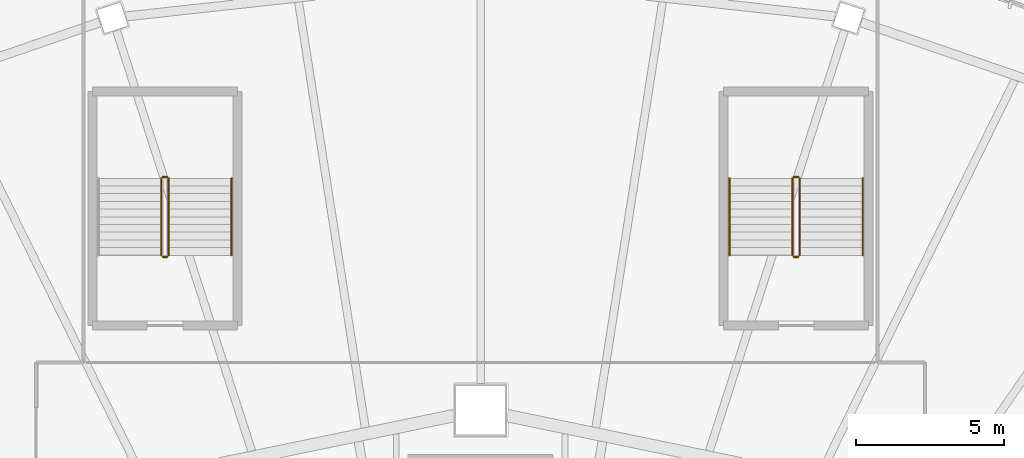
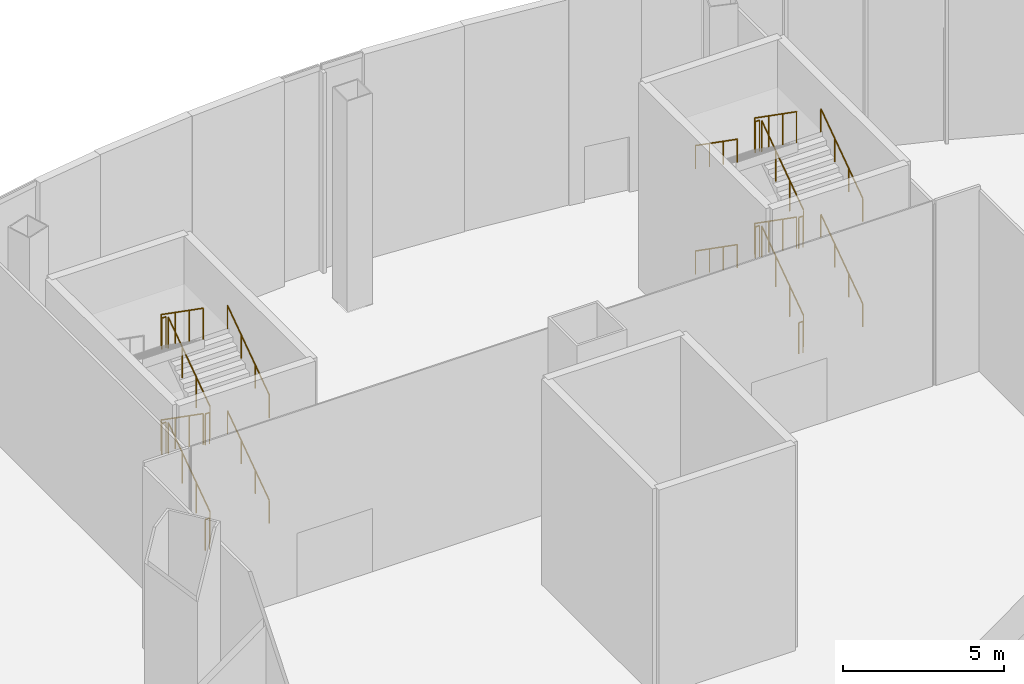
# One storey, part 36 of 36: 22 railings.
"""IFC4 building model written with IfcOpenShell, lengths in metres."""

from ifc_helpers import new_model, si_unit, direction, frame, origin, origin_2d, place, context, subcontext, project, spatial, circle, extrude, material, type_object, element, save


model = new_model("IFC4")

# Units and contexts
model_context = context("Model", 3, precision=1e-05, world=origin(), true_north=direction((0.0, 1.0)))
body_context = subcontext(model_context, "Body", "Model", "MODEL_VIEW")
ifc_project = project(units=[si_unit("LENGTHUNIT", "METRE"), si_unit("AREAUNIT", "SQUARE_METRE"), si_unit("VOLUMEUNIT", "CUBIC_METRE"), si_unit("PLANEANGLEUNIT", "RADIAN"), si_unit("MASSUNIT", "GRAM", prefix="KILO")], contexts=[model_context])

# Site, building, storey
site_placement = place(None, origin())
site = spatial("IfcSite", under=ifc_project, at=site_placement, CompositionType="ELEMENT")
building_placement = place(site_placement, origin())
building = spatial("IfcBuilding", under=site, at=building_placement, Name="Sahrelin Media Tower", CompositionType="ELEMENT")
storey_placement = place(building_placement, origin())
storey = spatial("IfcBuildingStorey", under=building, at=storey_placement, Name="L00", CompositionType="ELEMENT", Elevation=0.0)

# Railings
ifc_material = material(Name="Steel S355", Category="steel")
railing_type_1 = type_object("IfcRailingType", Name="Stair guard 1200", PredefinedType="GUARDRAIL", material=ifc_material)
railing_1_placement = place(storey_placement, frame((10.77490234375, 30.625, 0.181884765625)))
element("IfcRailing", 1, at=railing_1_placement, inside=storey, type_object=railing_type_1, Name="L00 PS1 stair guard 1", PredefinedType="GUARDRAIL", context=body_context, shape_type="SweptSolid", body=[
    extrude(circle(Radius=0.02392578125, at=origin_2d()), frame((0.0, 0.0, 1.17578125), z_axis=(0.0, 0.819521025635, 0.573049115296), x_axis=(-1.0, 0.0, 0.0)), (0.0, 0.0, 1.0), 3.172607421875),
    extrude(circle(Radius=0.02099609375, at=origin_2d()), origin(), (0.0, 0.0, 1.0), 1.15185546875),
    extrude(circle(Radius=0.02099609375, at=origin_2d()), frame((0.0, 0.86669921875, 0.60595703125)), (0.0, 0.0, 1.0), 1.15185546875),
    extrude(circle(Radius=0.02099609375, at=origin_2d()), frame((0.0, 1.7333984375, 1.212158203125)), (0.0, 0.0, 1.0), 1.15185546875),
    extrude(circle(Radius=0.02099609375, at=origin_2d()), frame((0.0, 2.60009765625, 1.818115234375)), (0.0, 0.0, 1.0), 1.15185546875),
])
railing_2_placement = place(storey_placement, frame((10.72509765625, 33.27490234375, 2.0)))
element("IfcRailing", 2, at=railing_2_placement, inside=storey, type_object=railing_type_1, Name="L00 PS1 stair guard 2", PredefinedType="GUARDRAIL", context=body_context, shape_type="SweptSolid", body=[
    extrude(circle(Radius=0.02392578125, at=origin_2d()), frame((0.0, 0.0, 1.17578125), z_axis=(-1.0, 0.0, 0.0), x_axis=(0.0, -1.0, 0.0)), (0.0, 0.0, 1.0), 0.150146484375),
    extrude(circle(Radius=0.02099609375, at=origin_2d()), origin(), (0.0, 0.0, 1.0), 1.15185546875),
    extrude(circle(Radius=0.02099609375, at=origin_2d()), frame((-0.150146484375, 0.0, 0.0)), (0.0, 0.0, 1.0), 1.15185546875),
])
railing_3_placement = place(storey_placement, frame((10.52490234375, 33.22509765625, 2.181884765625)))
element("IfcRailing", 3, at=railing_3_placement, inside=storey, type_object=railing_type_1, Name="L00 PS1 stair guard 3", PredefinedType="GUARDRAIL", context=body_context, shape_type="SweptSolid", body=[
    extrude(circle(Radius=0.02392578125, at=origin_2d()), frame((0.0, 0.0, 1.17578125), z_axis=(0.0, -0.819521025635, 0.573049115296), x_axis=(1.0, 0.0, 0.0)), (0.0, 0.0, 1.0), 3.172607421875),
    extrude(circle(Radius=0.02099609375, at=origin_2d()), origin(), (0.0, 0.0, 1.0), 1.15185546875),
    extrude(circle(Radius=0.02099609375, at=origin_2d()), frame((0.0, -0.86669921875, 0.60595703125)), (0.0, 0.0, 1.0), 1.15185546875),
    extrude(circle(Radius=0.02099609375, at=origin_2d()), frame((0.0, -1.7333984375, 1.212158203125)), (0.0, 0.0, 1.0), 1.15185546875),
    extrude(circle(Radius=0.02099609375, at=origin_2d()), frame((0.0, -2.60009765625, 1.818115234375)), (0.0, 0.0, 1.0), 1.15185546875),
])
railing_4_placement = place(storey_placement, frame((10.72509765625, 30.574951171875, 4.0)))
element("IfcRailing", 4, at=railing_4_placement, inside=storey, type_object=railing_type_1, Name="L00 PS1 stair guard 4", PredefinedType="GUARDRAIL", context=body_context, shape_type="SweptSolid", body=[
    extrude(circle(Radius=0.02392578125, at=origin_2d()), frame((0.0, 0.0, 1.17578125), z_axis=(-1.0, 0.0, 0.0), x_axis=(0.0, -1.0, 0.0)), (0.0, 0.0, 1.0), 0.150146484375),
    extrude(circle(Radius=0.02099609375, at=origin_2d()), origin(), (0.0, 0.0, 1.0), 1.15185546875),
    extrude(circle(Radius=0.02099609375, at=origin_2d()), frame((-0.150146484375, 0.0, 0.0)), (0.0, 0.0, 1.0), 1.15185546875),
])
railing_5_placement = place(storey_placement, frame((10.77490234375, 30.625, 4.181884765625)))
element("IfcRailing", 5, at=railing_5_placement, inside=storey, type_object=railing_type_1, Name="L00 PS1 stair guard 5", PredefinedType="GUARDRAIL", context=body_context, shape_type="SweptSolid", body=[
    extrude(circle(Radius=0.02392578125, at=origin_2d()), frame((0.0, 0.0, 1.17578125), z_axis=(0.0, 0.819521025635, 0.573049115296), x_axis=(-1.0, 0.0, 0.0)), (0.0, 0.0, 1.0), 3.172607421875),
    extrude(circle(Radius=0.02099609375, at=origin_2d()), origin(), (0.0, 0.0, 1.0), 1.15185546875),
    extrude(circle(Radius=0.02099609375, at=origin_2d()), frame((0.0, 0.86669921875, 0.60595703125)), (0.0, 0.0, 1.0), 1.15185546875),
    extrude(circle(Radius=0.02099609375, at=origin_2d()), frame((0.0, 1.7333984375, 1.212158203125)), (0.0, 0.0, 1.0), 1.15185546875),
    extrude(circle(Radius=0.02099609375, at=origin_2d()), frame((0.0, 2.60009765625, 1.818115234375)), (0.0, 0.0, 1.0), 1.15185546875),
])
railing_6_placement = place(storey_placement, frame((10.72509765625, 33.27490234375, 6.0)))
element("IfcRailing", 6, at=railing_6_placement, inside=storey, type_object=railing_type_1, Name="L00 PS1 stair guard 6", PredefinedType="GUARDRAIL", context=body_context, shape_type="SweptSolid", body=[
    extrude(circle(Radius=0.02392578125, at=origin_2d()), frame((0.0, 0.0, 1.17578125), z_axis=(-1.0, 0.0, 0.0), x_axis=(0.0, -1.0, 0.0)), (0.0, 0.0, 1.0), 0.150146484375),
    extrude(circle(Radius=0.02099609375, at=origin_2d()), origin(), (0.0, 0.0, 1.0), 1.15185546875),
    extrude(circle(Radius=0.02099609375, at=origin_2d()), frame((-0.150146484375, 0.0, 0.0)), (0.0, 0.0, 1.0), 1.15185546875),
])
railing_7_placement = place(storey_placement, frame((10.52490234375, 33.22509765625, 6.181884765625)))
element("IfcRailing", 7, at=railing_7_placement, inside=storey, type_object=railing_type_1, Name="L00 PS1 stair guard 7", PredefinedType="GUARDRAIL", context=body_context, shape_type="SweptSolid", body=[
    extrude(circle(Radius=0.02392578125, at=origin_2d()), frame((0.0, 0.0, 1.17578125), z_axis=(0.0, -0.819521025635, 0.573049115296), x_axis=(1.0, 0.0, 0.0)), (0.0, 0.0, 1.0), 3.172607421875),
    extrude(circle(Radius=0.02099609375, at=origin_2d()), origin(), (0.0, 0.0, 1.0), 1.15185546875),
    extrude(circle(Radius=0.02099609375, at=origin_2d()), frame((0.0, -0.86669921875, 0.60595703125)), (0.0, 0.0, 1.0), 1.15185546875),
    extrude(circle(Radius=0.02099609375, at=origin_2d()), frame((0.0, -1.7333984375, 1.212158203125)), (0.0, 0.0, 1.0), 1.15185546875),
    extrude(circle(Radius=0.02099609375, at=origin_2d()), frame((0.0, -2.60009765625, 1.818115234375)), (0.0, 0.0, 1.0), 1.15185546875),
])
railing_8_placement = place(storey_placement, frame((10.72509765625, 30.574951171875, 0.0)))
element("IfcRailing", 8, at=railing_8_placement, inside=storey, type_object=railing_type_1, Name="L00 PS1 stair guard 8", PredefinedType="GUARDRAIL", context=body_context, shape_type="SweptSolid", body=[
    extrude(circle(Radius=0.02392578125, at=origin_2d()), frame((0.0, 0.0, 1.17578125), z_axis=(-1.0, 0.0, 0.0), x_axis=(0.0, -1.0, 0.0)), (0.0, 0.0, 1.0), 0.150146484375),
    extrude(circle(Radius=0.02099609375, at=origin_2d()), origin(), (0.0, 0.0, 1.0), 1.15185546875),
    extrude(circle(Radius=0.02099609375, at=origin_2d()), frame((-0.150146484375, 0.0, 0.0)), (0.0, 0.0, 1.0), 1.15185546875),
])
railing_9_placement = place(storey_placement, frame((-10.52490234375, 30.625, 0.181884765625)))
element("IfcRailing", 9, at=railing_9_placement, inside=storey, type_object=railing_type_1, Name="L00 PS2 stair guard 1", PredefinedType="GUARDRAIL", context=body_context, shape_type="SweptSolid", body=[
    extrude(circle(Radius=0.02392578125, at=origin_2d()), frame((0.0, 0.0, 1.17578125), z_axis=(0.0, 0.819521025635, 0.573049115296), x_axis=(-1.0, 0.0, 0.0)), (0.0, 0.0, 1.0), 3.172607421875),
    extrude(circle(Radius=0.02099609375, at=origin_2d()), origin(), (0.0, 0.0, 1.0), 1.15185546875),
    extrude(circle(Radius=0.02099609375, at=origin_2d()), frame((0.0, 0.86669921875, 0.60595703125)), (0.0, 0.0, 1.0), 1.15185546875),
    extrude(circle(Radius=0.02099609375, at=origin_2d()), frame((0.0, 1.7333984375, 1.212158203125)), (0.0, 0.0, 1.0), 1.15185546875),
    extrude(circle(Radius=0.02099609375, at=origin_2d()), frame((0.0, 2.60009765625, 1.818115234375)), (0.0, 0.0, 1.0), 1.15185546875),
])
railing_10_placement = place(storey_placement, frame((-10.574951171875, 33.27490234375, 2.0)))
element("IfcRailing", 10, at=railing_10_placement, inside=storey, type_object=railing_type_1, Name="L00 PS2 stair guard 2", PredefinedType="GUARDRAIL", context=body_context, shape_type="SweptSolid", body=[
    extrude(circle(Radius=0.02392578125, at=origin_2d()), frame((0.0, 0.0, 1.17578125), z_axis=(-1.0, 0.0, 0.0), x_axis=(0.0, -1.0, 0.0)), (0.0, 0.0, 1.0), 0.150146484375),
    extrude(circle(Radius=0.02099609375, at=origin_2d()), origin(), (0.0, 0.0, 1.0), 1.15185546875),
    extrude(circle(Radius=0.02099609375, at=origin_2d()), frame((-0.150146484375, 0.0, 0.0)), (0.0, 0.0, 1.0), 1.15185546875),
])
railing_11_placement = place(storey_placement, frame((-10.77490234375, 33.22509765625, 2.181884765625)))
element("IfcRailing", 11, at=railing_11_placement, inside=storey, type_object=railing_type_1, Name="L00 PS2 stair guard 3", PredefinedType="GUARDRAIL", context=body_context, shape_type="SweptSolid", body=[
    extrude(circle(Radius=0.02392578125, at=origin_2d()), frame((0.0, 0.0, 1.17578125), z_axis=(0.0, -0.819521025635, 0.573049115296), x_axis=(1.0, 0.0, 0.0)), (0.0, 0.0, 1.0), 3.172607421875),
    extrude(circle(Radius=0.02099609375, at=origin_2d()), origin(), (0.0, 0.0, 1.0), 1.15185546875),
    extrude(circle(Radius=0.02099609375, at=origin_2d()), frame((0.0, -0.86669921875, 0.60595703125)), (0.0, 0.0, 1.0), 1.15185546875),
    extrude(circle(Radius=0.02099609375, at=origin_2d()), frame((0.0, -1.7333984375, 1.212158203125)), (0.0, 0.0, 1.0), 1.15185546875),
    extrude(circle(Radius=0.02099609375, at=origin_2d()), frame((0.0, -2.60009765625, 1.818115234375)), (0.0, 0.0, 1.0), 1.15185546875),
])
railing_12_placement = place(storey_placement, frame((-10.574951171875, 30.574951171875, 4.0)))
element("IfcRailing", 12, at=railing_12_placement, inside=storey, type_object=railing_type_1, Name="L00 PS2 stair guard 4", PredefinedType="GUARDRAIL", context=body_context, shape_type="SweptSolid", body=[
    extrude(circle(Radius=0.02392578125, at=origin_2d()), frame((0.0, 0.0, 1.17578125), z_axis=(-1.0, 0.0, 0.0), x_axis=(0.0, -1.0, 0.0)), (0.0, 0.0, 1.0), 0.150146484375),
    extrude(circle(Radius=0.02099609375, at=origin_2d()), origin(), (0.0, 0.0, 1.0), 1.15185546875),
    extrude(circle(Radius=0.02099609375, at=origin_2d()), frame((-0.150146484375, 0.0, 0.0)), (0.0, 0.0, 1.0), 1.15185546875),
])
railing_13_placement = place(storey_placement, frame((-10.52490234375, 30.625, 4.181884765625)))
element("IfcRailing", 13, at=railing_13_placement, inside=storey, type_object=railing_type_1, Name="L00 PS2 stair guard 5", PredefinedType="GUARDRAIL", context=body_context, shape_type="SweptSolid", body=[
    extrude(circle(Radius=0.02392578125, at=origin_2d()), frame((0.0, 0.0, 1.17578125), z_axis=(0.0, 0.819521025635, 0.573049115296), x_axis=(-1.0, 0.0, 0.0)), (0.0, 0.0, 1.0), 3.172607421875),
    extrude(circle(Radius=0.02099609375, at=origin_2d()), origin(), (0.0, 0.0, 1.0), 1.15185546875),
    extrude(circle(Radius=0.02099609375, at=origin_2d()), frame((0.0, 0.86669921875, 0.60595703125)), (0.0, 0.0, 1.0), 1.15185546875),
    extrude(circle(Radius=0.02099609375, at=origin_2d()), frame((0.0, 1.7333984375, 1.212158203125)), (0.0, 0.0, 1.0), 1.15185546875),
    extrude(circle(Radius=0.02099609375, at=origin_2d()), frame((0.0, 2.60009765625, 1.818115234375)), (0.0, 0.0, 1.0), 1.15185546875),
])
railing_14_placement = place(storey_placement, frame((-10.574951171875, 33.27490234375, 6.0)))
element("IfcRailing", 14, at=railing_14_placement, inside=storey, type_object=railing_type_1, Name="L00 PS2 stair guard 6", PredefinedType="GUARDRAIL", context=body_context, shape_type="SweptSolid", body=[
    extrude(circle(Radius=0.02392578125, at=origin_2d()), frame((0.0, 0.0, 1.17578125), z_axis=(-1.0, 0.0, 0.0), x_axis=(0.0, -1.0, 0.0)), (0.0, 0.0, 1.0), 0.150146484375),
    extrude(circle(Radius=0.02099609375, at=origin_2d()), origin(), (0.0, 0.0, 1.0), 1.15185546875),
    extrude(circle(Radius=0.02099609375, at=origin_2d()), frame((-0.150146484375, 0.0, 0.0)), (0.0, 0.0, 1.0), 1.15185546875),
])
railing_15_placement = place(storey_placement, frame((-10.77490234375, 33.22509765625, 6.181884765625)))
element("IfcRailing", 15, at=railing_15_placement, inside=storey, type_object=railing_type_1, Name="L00 PS2 stair guard 7", PredefinedType="GUARDRAIL", context=body_context, shape_type="SweptSolid", body=[
    extrude(circle(Radius=0.02392578125, at=origin_2d()), frame((0.0, 0.0, 1.17578125), z_axis=(0.0, -0.819521025635, 0.573049115296), x_axis=(1.0, 0.0, 0.0)), (0.0, 0.0, 1.0), 3.172607421875),
    extrude(circle(Radius=0.02099609375, at=origin_2d()), origin(), (0.0, 0.0, 1.0), 1.15185546875),
    extrude(circle(Radius=0.02099609375, at=origin_2d()), frame((0.0, -0.86669921875, 0.60595703125)), (0.0, 0.0, 1.0), 1.15185546875),
    extrude(circle(Radius=0.02099609375, at=origin_2d()), frame((0.0, -1.7333984375, 1.212158203125)), (0.0, 0.0, 1.0), 1.15185546875),
    extrude(circle(Radius=0.02099609375, at=origin_2d()), frame((0.0, -2.60009765625, 1.818115234375)), (0.0, 0.0, 1.0), 1.15185546875),
])
railing_16_placement = place(storey_placement, frame((-10.574951171875, 30.574951171875, 0.0)))
element("IfcRailing", 16, at=railing_16_placement, inside=storey, type_object=railing_type_1, Name="L00 PS2 stair guard 8", PredefinedType="GUARDRAIL", context=body_context, shape_type="SweptSolid", body=[
    extrude(circle(Radius=0.02392578125, at=origin_2d()), frame((0.0, 0.0, 1.17578125), z_axis=(-1.0, 0.0, 0.0), x_axis=(0.0, -1.0, 0.0)), (0.0, 0.0, 1.0), 0.150146484375),
    extrude(circle(Radius=0.02099609375, at=origin_2d()), origin(), (0.0, 0.0, 1.0), 1.15185546875),
    extrude(circle(Radius=0.02099609375, at=origin_2d()), frame((-0.150146484375, 0.0, 0.0)), (0.0, 0.0, 1.0), 1.15185546875),
])
railing_type_2 = type_object("IfcRailingType", Name="Stair handrail 900", PredefinedType="HANDRAIL", material=ifc_material)
railing_17_placement = place(storey_placement, frame((12.89990234375, 30.625, 0.181884765625)))
element("IfcRailing", 17, at=railing_17_placement, inside=storey, type_object=railing_type_2, Name="L00 PS1 stair handrail 1", PredefinedType="HANDRAIL", context=body_context, shape_type="SweptSolid", body=[
    extrude(circle(Radius=0.02392578125, at=origin_2d()), frame((0.0, 0.0, 0.8759765625), z_axis=(0.0, 0.819521025635, 0.573049115296), x_axis=(-1.0, 0.0, 0.0)), (0.0, 0.0, 1.0), 3.172607421875),
    extrude(circle(Radius=0.02099609375, at=origin_2d()), origin(), (0.0, 0.0, 1.0), 0.851806640625),
    extrude(circle(Radius=0.02099609375, at=origin_2d()), frame((0.0, 0.86669921875, 0.60595703125)), (0.0, 0.0, 1.0), 0.851806640625),
    extrude(circle(Radius=0.02099609375, at=origin_2d()), frame((0.0, 1.7333984375, 1.212158203125)), (0.0, 0.0, 1.0), 0.851806640625),
    extrude(circle(Radius=0.02099609375, at=origin_2d()), frame((0.0, 2.60009765625, 1.818115234375)), (0.0, 0.0, 1.0), 0.851806640625),
])
railing_18_placement = place(storey_placement, frame((8.39990234375, 33.22509765625, 2.181884765625)))
element("IfcRailing", 18, at=railing_18_placement, inside=storey, type_object=railing_type_2, Name="L00 PS1 stair handrail 2", PredefinedType="HANDRAIL", context=body_context, shape_type="SweptSolid", body=[
    extrude(circle(Radius=0.02392578125, at=origin_2d()), frame((0.0, 0.0, 0.8759765625), z_axis=(0.0, -0.819521025635, 0.573049115296), x_axis=(1.0, 0.0, 0.0)), (0.0, 0.0, 1.0), 3.172607421875),
    extrude(circle(Radius=0.02099609375, at=origin_2d()), origin(), (0.0, 0.0, 1.0), 0.851806640625),
    extrude(circle(Radius=0.02099609375, at=origin_2d()), frame((0.0, -0.86669921875, 0.60595703125)), (0.0, 0.0, 1.0), 0.851806640625),
    extrude(circle(Radius=0.02099609375, at=origin_2d()), frame((0.0, -1.7333984375, 1.212158203125)), (0.0, 0.0, 1.0), 0.851806640625),
    extrude(circle(Radius=0.02099609375, at=origin_2d()), frame((0.0, -2.60009765625, 1.818115234375)), (0.0, 0.0, 1.0), 0.851806640625),
])
railing_19_placement = place(storey_placement, frame((12.89990234375, 30.625, 4.181884765625)))
element("IfcRailing", 19, at=railing_19_placement, inside=storey, type_object=railing_type_2, Name="L00 PS1 stair handrail 3", PredefinedType="HANDRAIL", context=body_context, shape_type="SweptSolid", body=[
    extrude(circle(Radius=0.02392578125, at=origin_2d()), frame((0.0, 0.0, 0.8759765625), z_axis=(0.0, 0.819521025635, 0.573049115296), x_axis=(-1.0, 0.0, 0.0)), (0.0, 0.0, 1.0), 3.172607421875),
    extrude(circle(Radius=0.02099609375, at=origin_2d()), origin(), (0.0, 0.0, 1.0), 0.851806640625),
    extrude(circle(Radius=0.02099609375, at=origin_2d()), frame((0.0, 0.86669921875, 0.60595703125)), (0.0, 0.0, 1.0), 0.851806640625),
    extrude(circle(Radius=0.02099609375, at=origin_2d()), frame((0.0, 1.7333984375, 1.212158203125)), (0.0, 0.0, 1.0), 0.851806640625),
    extrude(circle(Radius=0.02099609375, at=origin_2d()), frame((0.0, 2.60009765625, 1.818115234375)), (0.0, 0.0, 1.0), 0.851806640625),
])
railing_20_placement = place(storey_placement, frame((8.39990234375, 33.22509765625, 6.181884765625)))
element("IfcRailing", 20, at=railing_20_placement, inside=storey, type_object=railing_type_2, Name="L00 PS1 stair handrail 4", PredefinedType="HANDRAIL", context=body_context, shape_type="SweptSolid", body=[
    extrude(circle(Radius=0.02392578125, at=origin_2d()), frame((0.0, 0.0, 0.8759765625), z_axis=(0.0, -0.819521025635, 0.573049115296), x_axis=(1.0, 0.0, 0.0)), (0.0, 0.0, 1.0), 3.172607421875),
    extrude(circle(Radius=0.02099609375, at=origin_2d()), origin(), (0.0, 0.0, 1.0), 0.851806640625),
    extrude(circle(Radius=0.02099609375, at=origin_2d()), frame((0.0, -0.86669921875, 0.60595703125)), (0.0, 0.0, 1.0), 0.851806640625),
    extrude(circle(Radius=0.02099609375, at=origin_2d()), frame((0.0, -1.7333984375, 1.212158203125)), (0.0, 0.0, 1.0), 0.851806640625),
    extrude(circle(Radius=0.02099609375, at=origin_2d()), frame((0.0, -2.60009765625, 1.818115234375)), (0.0, 0.0, 1.0), 0.851806640625),
])
for number, where, name in (
    (21, (-8.39990234375, 30.625, 0.181884765625), "L00 PS2 stair handrail 1"),
    (22, (-8.39990234375, 30.625, 4.181884765625), "L00 PS2 stair handrail 3"),
):
    element("IfcRailing", number, at=place(storey_placement, frame(where)), inside=storey, type_object=railing_type_2, Name=name, PredefinedType="HANDRAIL", context=body_context, shape_type="SweptSolid", body=[
        extrude(circle(Radius=0.02392578125, at=origin_2d()), frame((0.0, 0.0, 0.8759765625), z_axis=(0.0, 0.819521025635, 0.573049115296), x_axis=(-1.0, 0.0, 0.0)), (0.0, 0.0, 1.0), 3.172607421875),
        extrude(circle(Radius=0.02099609375, at=origin_2d()), origin(), (0.0, 0.0, 1.0), 0.851806640625),
        extrude(circle(Radius=0.02099609375, at=origin_2d()), frame((0.0, 0.86669921875, 0.60595703125)), (0.0, 0.0, 1.0), 0.851806640625),
        extrude(circle(Radius=0.02099609375, at=origin_2d()), frame((0.0, 1.7333984375, 1.212158203125)), (0.0, 0.0, 1.0), 0.851806640625),
        extrude(circle(Radius=0.02099609375, at=origin_2d()), frame((0.0, 2.60009765625, 1.818115234375)), (0.0, 0.0, 1.0), 0.851806640625),
    ])

save(model, "model.ifc")
